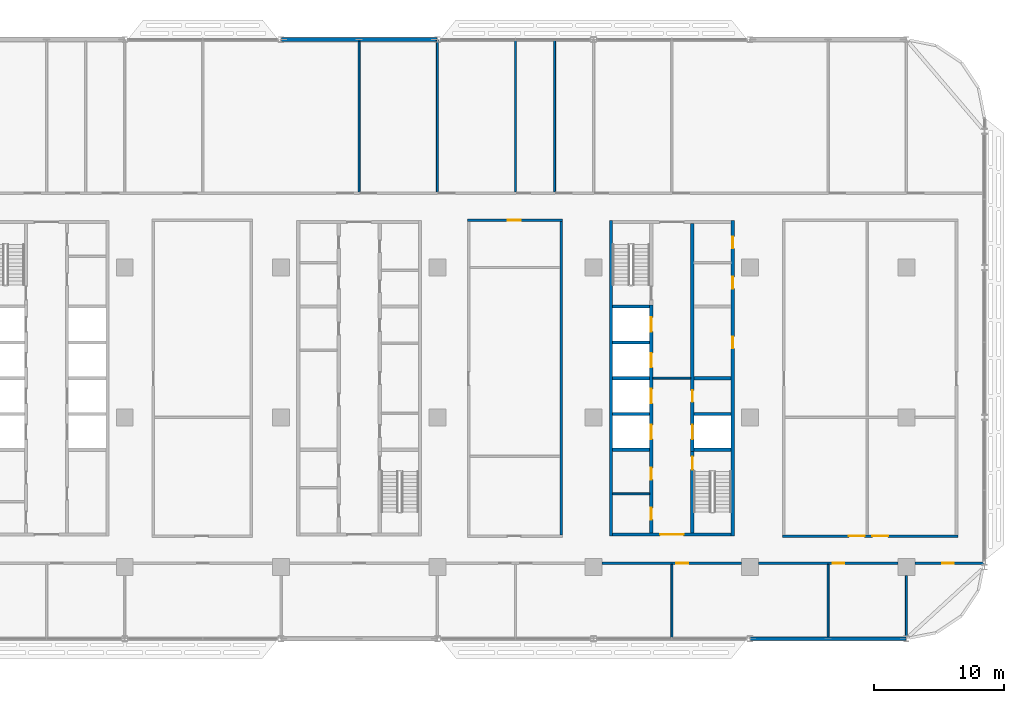
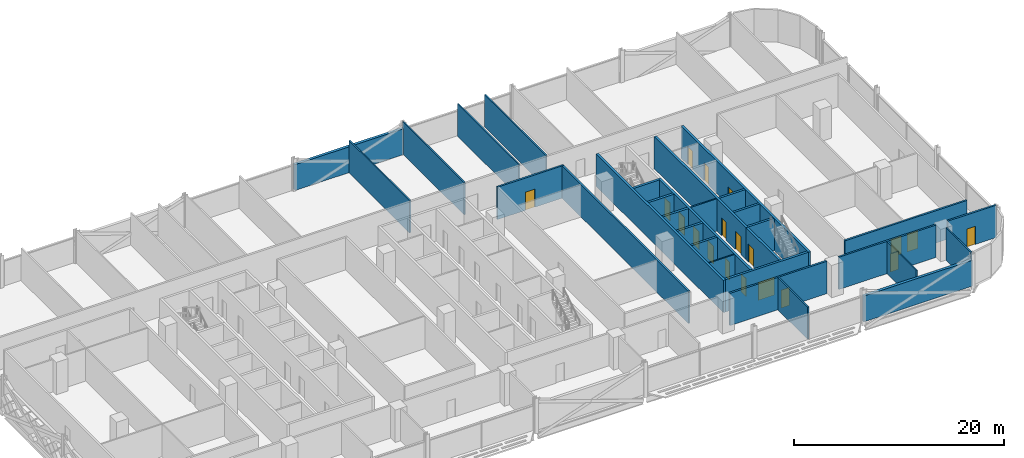
# One storey, part 17 of 28: 31 walls, 19 doors, 19 openings.
"""IFC4 building model written with IfcOpenShell, lengths in metres."""

from ifc_helpers import new_model, si_unit, direction, frame, frame_2d, origin, place, context, subcontext, project, spatial, rectangle, extrude, material, layer, layer_set, type_object, element, fill, save


model = new_model("IFC4")

# Units and contexts
model_context = context("Model", 3, precision=1e-05, world=origin(), true_north=direction((0.0, 1.0)))
body_context = subcontext(model_context, "Body", "Model", "MODEL_VIEW")
ifc_project = project(units=[si_unit("LENGTHUNIT", "METRE"), si_unit("AREAUNIT", "SQUARE_METRE"), si_unit("VOLUMEUNIT", "CUBIC_METRE"), si_unit("PLANEANGLEUNIT", "RADIAN"), si_unit("MASSUNIT", "GRAM", prefix="KILO")], contexts=[model_context])

# Site, building, storey
site_placement = place(None, origin())
site = spatial("IfcSite", under=ifc_project, at=site_placement, CompositionType="ELEMENT")
building_placement = place(site_placement, origin())
building = spatial("IfcBuilding", under=site, at=building_placement, Name="Mahtab Terrace Research Tower", CompositionType="ELEMENT")
storey_placement = place(building_placement, frame((0.0, 0.0, 134.300048828125)))
storey = spatial("IfcBuildingStorey", under=building, at=storey_placement, Name="L31", CompositionType="ELEMENT", Elevation=134.300048828125)

# Walls
ifc_material_1 = material(Name="Gypsum board partition")
ifc_layer_1 = layer(ifc_material_1, 0.14990234375)
ifc_layer_set_1 = layer_set([ifc_layer_1], Name="Core partition 150")
wall_type_1 = type_object("IfcWallType", Name="Core partition 150", PredefinedType="PARTITIONING", material=ifc_layer_set_1)
wall_1_placement = place(storey_placement, frame((22.550048828125, 3.0, 0.0), z_axis=(0.0, 0.0, 1.0), x_axis=(1.0, 0.0, 0.0)))
element("IfcWall", 1, at=wall_1_placement, inside=storey, type_object=wall_type_1, Name="Core wall C ffl", PredefinedType="PARTITIONING", context=body_context, shape_type="SweptSolid", body=[
    extrude(rectangle(XDim=2.89990234375, YDim=0.14990234375, at=frame_2d((1.449951171875, 0.0))), origin(), (0.0, 0.0, 1.0), 3.760009765625),
])
wall_2_placement = place(storey_placement, frame((19.449951171875, -5.875, 0.0), z_axis=(0.0, 0.0, 1.0), x_axis=(1.0, 0.0, 0.0)))
element("IfcWall", 2, at=wall_2_placement, inside=storey, type_object=wall_type_1, Name="Core wall C pWS-888", PredefinedType="PARTITIONING", context=body_context, shape_type="SweptSolid", body=[
    extrude(rectangle(XDim=2.85009765625, YDim=0.14990234375, at=frame_2d((1.425048828125, 0.0))), origin(), (0.0, 0.0, 1.0), 3.760009765625),
])
ifc_material_2 = material(Name="Concrete C70/85", Category="concrete")
ifc_layer_2 = layer(ifc_material_2, 0.25)
ifc_layer_set_2 = layer_set([ifc_layer_2], Name="Core wall 250")
wall_type_2 = type_object("IfcWallType", Name="Core wall 250", PredefinedType="SOLIDWALL", material=ifc_layer_set_2)
wall_3_placement = place(storey_placement, frame((19.324951171875, 15.125, 0.0), z_axis=(0.0, 0.0, 1.0), x_axis=(0.0, -1.0, 0.0)))
element("IfcWall", 3, at=wall_3_placement, inside=storey, type_object=wall_type_2, Name="Core wall C outerW", PredefinedType="SOLIDWALL", context=body_context, shape_type="SweptSolid", body=[
    extrude(rectangle(XDim=24.25, YDim=0.25, at=frame_2d((12.125, 0.0))), origin(), (0.0, 0.0, 1.0), 3.760009765625),
])

# Wall, openings, doors
wall_4_placement = place(storey_placement, frame((28.675048828125, -9.125, 0.0), z_axis=(0.0, 0.0, 1.0), x_axis=(0.0, 1.0, 0.0)))
wall_4 = element("IfcWall", 4, at=wall_4_placement, inside=storey, type_object=wall_type_2, Name="Core wall C outerE", PredefinedType="SOLIDWALL", context=body_context, shape_type="SweptSolid", body=[
    extrude(rectangle(XDim=24.25, YDim=0.25, at=frame_2d((12.125, 0.0))), origin(), (0.0, 0.0, 1.0), 3.760009765625),
])
opening_1_placement = place(wall_4_placement, frame((14.425048828125, 0.0, 0.0)))
opening_1 = element("IfcOpeningElement", 5, at=opening_1_placement, cuts=wall_4, Name="Opening C-R2", PredefinedType="OPENING", context=body_context, shape_type="SweptSolid", body=[
    extrude(rectangle(XDim=0.89990234375, YDim=2.10009765625, at=frame_2d((0.449951171875, 1.050048828125))), frame((0.0, 0.135009765625, 0.0), z_axis=(0.0, -1.0, 0.0), x_axis=(1.0, 0.0, 0.0)), (0.0, 0.0, 1.0), 0.27001953125),
])
opening_2_placement = place(wall_4_placement, frame((19.012451171875, 0.0, 0.0)))
opening_2 = element("IfcOpeningElement", 6, at=opening_2_placement, cuts=wall_4, Name="Opening C-R5", PredefinedType="OPENING", context=body_context, shape_type="SweptSolid", body=[
    extrude(rectangle(XDim=0.89990234375, YDim=2.10009765625, at=frame_2d((0.449951171875, 1.050048828125))), frame((0.0, 0.135009765625, 0.0), z_axis=(0.0, -1.0, 0.0), x_axis=(1.0, 0.0, 0.0)), (0.0, 0.0, 1.0), 0.27001953125),
])
opening_3_placement = place(wall_4_placement, frame((22.08740234375, 0.0, 0.0)))
opening_3 = element("IfcOpeningElement", 7, at=opening_3_placement, cuts=wall_4, Name="Opening C-R6", PredefinedType="OPENING", context=body_context, shape_type="SweptSolid", body=[
    extrude(rectangle(XDim=0.89990234375, YDim=2.10009765625, at=frame_2d((0.449951171875, 1.050048828125))), frame((0.0, 0.135009765625, 0.0), z_axis=(0.0, -1.0, 0.0), x_axis=(1.0, 0.0, 0.0)), (0.0, 0.0, 1.0), 0.27001953125),
])
ifc_material_3 = material(Name="Steel fire door", Category="steel")
door_type_1 = type_object("IfcDoorType", Name="Room door 900x2100 1 HR", OperationType="NOTDEFINED", PredefinedType="DOOR", material=ifc_material_3)
door_1_placement = place(opening_1_placement, origin())
door_1 = element("IfcDoor", 8, at=door_1_placement, inside=storey, type_object=door_type_1, Name="Plant room door", OperationType="SINGLE_SWING_RIGHT", OverallHeight=2.10009765625, OverallWidth=0.89990234375, PredefinedType="DOOR", context=body_context, shape_type="SweptSolid", body=[
    extrude(rectangle(XDim=0.89990234375, YDim=2.10009765625, at=frame_2d((0.449951171875, 1.050048828125))), frame((0.0, 0.02490234375, 0.0), z_axis=(0.0, -1.0, 0.0), x_axis=(1.0, 0.0, 0.0)), (0.0, 0.0, 1.0), 0.050048828125),
])
fill(opening_1, door_1)
door_2_placement = place(opening_2_placement, origin())
door_2 = element("IfcDoor", 9, at=door_2_placement, inside=storey, type_object=door_type_1, Name="Housekeeping store door", OperationType="SINGLE_SWING_LEFT", OverallHeight=2.10009765625, OverallWidth=0.89990234375, PredefinedType="DOOR", context=body_context, shape_type="SweptSolid", body=[
    extrude(rectangle(XDim=0.89990234375, YDim=2.10009765625, at=frame_2d((0.449951171875, 1.050048828125))), frame((0.0, 0.02490234375, 0.0), z_axis=(0.0, -1.0, 0.0), x_axis=(1.0, 0.0, 0.0)), (0.0, 0.0, 1.0), 0.050048828125),
])
fill(opening_2, door_2)
door_3_placement = place(opening_3_placement, origin())
door_3 = element("IfcDoor", 10, at=door_3_placement, inside=storey, type_object=door_type_1, Name="Electrical riser room door", OperationType="SINGLE_SWING_RIGHT", OverallHeight=2.10009765625, OverallWidth=0.89990234375, PredefinedType="DOOR", context=body_context, shape_type="SweptSolid", body=[
    extrude(rectangle(XDim=0.89990234375, YDim=2.10009765625, at=frame_2d((0.449951171875, 1.050048828125))), frame((0.0, 0.02490234375, 0.0), z_axis=(0.0, -1.0, 0.0), x_axis=(1.0, 0.0, 0.0)), (0.0, 0.0, 1.0), 0.050048828125),
])
fill(opening_3, door_3)

# Wall, opening, door
wall_5_placement = place(storey_placement, frame((28.550048828125, -9.0, 0.0), z_axis=(0.0, 0.0, 1.0), x_axis=(-1.0, 0.0, 0.0)))
wall_5 = element("IfcWall", 11, at=wall_5_placement, inside=storey, type_object=wall_type_2, Name="Core wall C endS", PredefinedType="SOLIDWALL", context=body_context, shape_type="SweptSolid", body=[
    extrude(rectangle(XDim=9.10009765625, YDim=0.25, at=frame_2d((4.550048828125, 0.0))), origin(), (0.0, 0.0, 1.0), 3.760009765625),
])
opening_4_placement = place(wall_5_placement, frame((3.64990234375, 0.0, 0.0)))
opening_4 = element("IfcOpeningElement", 12, at=opening_4_placement, cuts=wall_5, Name="Opening C-S1", PredefinedType="OPENING", context=body_context, shape_type="SweptSolid", body=[
    extrude(rectangle(XDim=1.800048828125, YDim=2.10009765625, at=frame_2d((0.89990234375, 1.050048828125))), frame((0.0, 0.135009765625, 0.0), z_axis=(0.0, -1.0, 0.0), x_axis=(1.0, 0.0, 0.0)), (0.0, 0.0, 1.0), 0.27001953125),
])
door_type_2 = type_object("IfcDoorType", Name="Lobby double door 1800x2100 1 HR", OperationType="DOUBLE_DOOR_SINGLE_SWING", PredefinedType="DOOR", material=ifc_material_3)
door_4_placement = place(opening_4_placement, origin())
door_4 = element("IfcDoor", 13, at=door_4_placement, inside=storey, type_object=door_type_2, Name="Core entrance door C S", OperationType="DOUBLE_DOOR_SINGLE_SWING", OverallHeight=2.10009765625, OverallWidth=1.800048828125, PredefinedType="DOOR", context=body_context, shape_type="SweptSolid", body=[
    extrude(rectangle(XDim=1.800048828125, YDim=2.10009765625, at=frame_2d((0.89990234375, 1.050048828125))), frame((0.0, 0.02490234375, 0.0), z_axis=(0.0, -1.0, 0.0), x_axis=(1.0, 0.0, 0.0)), (0.0, 0.0, 1.0), 0.050048828125),
])
fill(opening_4, door_4)

# Wall, openings, doors
wall_6_placement = place(storey_placement, frame((22.425048828125, -8.875, 0.0), z_axis=(0.0, 0.0, 1.0), x_axis=(0.0, 1.0, 0.0)))
wall_6 = element("IfcWall", 14, at=wall_6_placement, inside=storey, type_object=wall_type_2, Name="Core wall C innerWSL", PredefinedType="SOLIDWALL", context=body_context, shape_type="SweptSolid", body=[
    extrude(rectangle(XDim=17.5, YDim=0.25, at=frame_2d((8.75, 0.0))), origin(), (0.0, 0.0, 1.0), 3.760009765625),
])
opening_5_placement = place(wall_6_placement, frame((7.199951171875, 0.0, 0.0)))
opening_5 = element("IfcOpeningElement", 15, at=opening_5_placement, cuts=wall_6, Name="Opening LD17-L31", PredefinedType="OPENING", context=body_context, shape_type="SweptSolid", body=[
    extrude(rectangle(XDim=1.10009765625, YDim=2.10009765625, at=frame_2d((0.550048828125, 1.050048828125))), frame((0.0, 0.135009765625, 0.0), z_axis=(0.0, -1.0, 0.0), x_axis=(1.0, 0.0, 0.0)), (0.0, 0.0, 1.0), 0.27001953125),
])
opening_6_placement = place(wall_6_placement, frame((9.949951171875, 0.0, 0.0)))
opening_6 = element("IfcOpeningElement", 16, at=opening_6_placement, cuts=wall_6, Name="Opening LD18-L31", PredefinedType="OPENING", context=body_context, shape_type="SweptSolid", body=[
    extrude(rectangle(XDim=1.10009765625, YDim=2.10009765625, at=frame_2d((0.550048828125, 1.050048828125))), frame((0.0, 0.135009765625, 0.0), z_axis=(0.0, -1.0, 0.0), x_axis=(1.0, 0.0, 0.0)), (0.0, 0.0, 1.0), 0.27001953125),
])
opening_7_placement = place(wall_6_placement, frame((12.699951171875, 0.0, 0.0)))
opening_7 = element("IfcOpeningElement", 17, at=opening_7_placement, cuts=wall_6, Name="Opening LD19-L31", PredefinedType="OPENING", context=body_context, shape_type="SweptSolid", body=[
    extrude(rectangle(XDim=1.10009765625, YDim=2.10009765625, at=frame_2d((0.550048828125, 1.050048828125))), frame((0.0, 0.135009765625, 0.0), z_axis=(0.0, -1.0, 0.0), x_axis=(1.0, 0.0, 0.0)), (0.0, 0.0, 1.0), 0.27001953125),
])
opening_8_placement = place(wall_6_placement, frame((15.449951171875, 0.0, 0.0)))
opening_8 = element("IfcOpeningElement", 18, at=opening_8_placement, cuts=wall_6, Name="Opening LD20-L31", PredefinedType="OPENING", context=body_context, shape_type="SweptSolid", body=[
    extrude(rectangle(XDim=1.10009765625, YDim=2.10009765625, at=frame_2d((0.550048828125, 1.050048828125))), frame((0.0, 0.135009765625, 0.0), z_axis=(0.0, -1.0, 0.0), x_axis=(1.0, 0.0, 0.0)), (0.0, 0.0, 1.0), 0.27001953125),
])
opening_9_placement = place(wall_6_placement, frame((1.012451171875, 0.0, 0.0)))
opening_9 = element("IfcOpeningElement", 19, at=opening_9_placement, cuts=wall_6, Name="Opening C-R3", PredefinedType="OPENING", context=body_context, shape_type="SweptSolid", body=[
    extrude(rectangle(XDim=0.89990234375, YDim=2.10009765625, at=frame_2d((0.449951171875, 1.050048828125))), frame((0.0, 0.135009765625, 0.0), z_axis=(0.0, -1.0, 0.0), x_axis=(1.0, 0.0, 0.0)), (0.0, 0.0, 1.0), 0.27001953125),
])
opening_10_placement = place(wall_6_placement, frame((4.08740234375, 0.0, 0.0)))
opening_10 = element("IfcOpeningElement", 20, at=opening_10_placement, cuts=wall_6, Name="Opening C-R4", PredefinedType="OPENING", context=body_context, shape_type="SweptSolid", body=[
    extrude(rectangle(XDim=0.89990234375, YDim=2.10009765625, at=frame_2d((0.449951171875, 1.050048828125))), frame((0.0, 0.135009765625, 0.0), z_axis=(0.0, -1.0, 0.0), x_axis=(1.0, 0.0, 0.0)), (0.0, 0.0, 1.0), 0.27001953125),
])
ifc_material_4 = material(Name="Stainless steel AISI 304", Category="steel")
door_type_3 = type_object("IfcDoorType", Name="Landing door 1100x2100", OperationType="DOUBLE_DOOR_SLIDING", PredefinedType="DOOR", material=ifc_material_4)
door_5_placement = place(opening_5_placement, origin())
door_5 = element("IfcDoor", 21, at=door_5_placement, inside=storey, type_object=door_type_3, Name="Landing door SV1 L31", OperationType="DOUBLE_DOOR_SLIDING", OverallHeight=2.10009765625, OverallWidth=1.10009765625, PredefinedType="DOOR", context=body_context, shape_type="SweptSolid", body=[
    extrude(rectangle(XDim=1.10009765625, YDim=2.10009765625, at=frame_2d((0.550048828125, 1.050048828125))), frame((0.0, 0.02490234375, 0.0), z_axis=(0.0, -1.0, 0.0), x_axis=(1.0, 0.0, 0.0)), (0.0, 0.0, 1.0), 0.050048828125),
])
fill(opening_5, door_5)
door_6_placement = place(opening_6_placement, origin())
door_6 = element("IfcDoor", 22, at=door_6_placement, inside=storey, type_object=door_type_3, Name="Landing door SV2 L31", OperationType="DOUBLE_DOOR_SLIDING", OverallHeight=2.10009765625, OverallWidth=1.10009765625, PredefinedType="DOOR", context=body_context, shape_type="SweptSolid", body=[
    extrude(rectangle(XDim=1.10009765625, YDim=2.10009765625, at=frame_2d((0.550048828125, 1.050048828125))), frame((0.0, 0.02490234375, 0.0), z_axis=(0.0, -1.0, 0.0), x_axis=(1.0, 0.0, 0.0)), (0.0, 0.0, 1.0), 0.050048828125),
])
fill(opening_6, door_6)
door_7_placement = place(opening_7_placement, origin())
door_7 = element("IfcDoor", 23, at=door_7_placement, inside=storey, type_object=door_type_3, Name="Landing door FF1 L31", OperationType="DOUBLE_DOOR_SLIDING", OverallHeight=2.10009765625, OverallWidth=1.10009765625, PredefinedType="DOOR", context=body_context, shape_type="SweptSolid", body=[
    extrude(rectangle(XDim=1.10009765625, YDim=2.10009765625, at=frame_2d((0.550048828125, 1.050048828125))), frame((0.0, 0.02490234375, 0.0), z_axis=(0.0, -1.0, 0.0), x_axis=(1.0, 0.0, 0.0)), (0.0, 0.0, 1.0), 0.050048828125),
])
fill(opening_7, door_7)
door_8_placement = place(opening_8_placement, origin())
door_8 = element("IfcDoor", 24, at=door_8_placement, inside=storey, type_object=door_type_3, Name="Landing door FF2 L31", OperationType="DOUBLE_DOOR_SLIDING", OverallHeight=2.10009765625, OverallWidth=1.10009765625, PredefinedType="DOOR", context=body_context, shape_type="SweptSolid", body=[
    extrude(rectangle(XDim=1.10009765625, YDim=2.10009765625, at=frame_2d((0.550048828125, 1.050048828125))), frame((0.0, 0.02490234375, 0.0), z_axis=(0.0, -1.0, 0.0), x_axis=(1.0, 0.0, 0.0)), (0.0, 0.0, 1.0), 0.050048828125),
])
fill(opening_8, door_8)
door_9_placement = place(opening_9_placement, origin())
door_9 = element("IfcDoor", 25, at=door_9_placement, inside=storey, type_object=door_type_1, Name="Staff WC door", OperationType="SINGLE_SWING_LEFT", OverallHeight=2.10009765625, OverallWidth=0.89990234375, PredefinedType="DOOR", context=body_context, shape_type="SweptSolid", body=[
    extrude(rectangle(XDim=0.89990234375, YDim=2.10009765625, at=frame_2d((0.449951171875, 1.050048828125))), frame((0.0, 0.02490234375, 0.0), z_axis=(0.0, -1.0, 0.0), x_axis=(1.0, 0.0, 0.0)), (0.0, 0.0, 1.0), 0.050048828125),
])
fill(opening_9, door_9)
door_10_placement = place(opening_10_placement, origin())
door_10 = element("IfcDoor", 26, at=door_10_placement, inside=storey, type_object=door_type_1, Name="Accessible WC door", OperationType="SINGLE_SWING_RIGHT", OverallHeight=2.10009765625, OverallWidth=0.89990234375, PredefinedType="DOOR", context=body_context, shape_type="SweptSolid", body=[
    extrude(rectangle(XDim=0.89990234375, YDim=2.10009765625, at=frame_2d((0.449951171875, 1.050048828125))), frame((0.0, 0.02490234375, 0.0), z_axis=(0.0, -1.0, 0.0), x_axis=(1.0, 0.0, 0.0)), (0.0, 0.0, 1.0), 0.050048828125),
])
fill(opening_10, door_10)

# Wall, opening, door
wall_7_placement = place(storey_placement, frame((25.574951171875, -8.875, 0.0), z_axis=(0.0, 0.0, 1.0), x_axis=(0.0, 1.0, 0.0)))
wall_7 = element("IfcWall", 27, at=wall_7_placement, inside=storey, type_object=wall_type_2, Name="Core wall C innerES", PredefinedType="SOLIDWALL", context=body_context, shape_type="SweptSolid", body=[
    extrude(rectangle(XDim=6.25, YDim=0.25, at=frame_2d((3.125, 0.0))), origin(), (0.0, 0.0, 1.0), 3.760009765625),
])
opening_11_placement = place(wall_7_placement, frame((4.85009765625, 0.0, 0.0)))
opening_11 = element("IfcOpeningElement", 28, at=opening_11_placement, cuts=wall_7, Name="Opening C-ST4", PredefinedType="OPENING", context=body_context, shape_type="SweptSolid", body=[
    extrude(rectangle(XDim=1.0, YDim=2.10009765625, at=frame_2d((0.5, 1.050048828125))), frame((0.0, 0.135009765625, 0.0), z_axis=(0.0, -1.0, 0.0), x_axis=(1.0, 0.0, 0.0)), (0.0, 0.0, 1.0), 0.27001953125),
])
door_type_4 = type_object("IfcDoorType", Name="Stair door 1000x2100 1.5 HR", OperationType="NOTDEFINED", PredefinedType="DOOR", material=ifc_material_3)
door_11_placement = place(opening_11_placement, origin())
door_11 = element("IfcDoor", 29, at=door_11_placement, inside=storey, type_object=door_type_4, Name="Stair door ST4 L31", OperationType="SINGLE_SWING_RIGHT", OverallHeight=2.10009765625, OverallWidth=1.0, PredefinedType="DOOR", context=body_context, shape_type="SweptSolid", body=[
    extrude(rectangle(XDim=1.0, YDim=2.10009765625, at=frame_2d((0.5, 1.050048828125))), frame((0.0, 0.02490234375, 0.0), z_axis=(0.0, -1.0, 0.0), x_axis=(1.0, 0.0, 0.0)), (0.0, 0.0, 1.0), 0.050048828125),
])
fill(opening_11, door_11)

# Wall, openings, doors
wall_8_placement = place(storey_placement, frame((25.574951171875, 14.875, 0.0), z_axis=(0.0, 0.0, 1.0), x_axis=(0.0, -1.0, 0.0)))
wall_8 = element("IfcWall", 30, at=wall_8_placement, inside=storey, type_object=wall_type_2, Name="Core wall C innerELN", PredefinedType="SOLIDWALL", context=body_context, shape_type="SweptSolid", body=[
    extrude(rectangle(XDim=17.5, YDim=0.25, at=frame_2d((8.75, 0.0))), origin(), (0.0, 0.0, 1.0), 3.760009765625),
])
opening_12_placement = place(wall_8_placement, frame((15.449951171875, 0.0, 0.0)))
opening_12 = element("IfcOpeningElement", 31, at=opening_12_placement, cuts=wall_8, Name="Opening LD21-L31", PredefinedType="OPENING", context=body_context, shape_type="SweptSolid", body=[
    extrude(rectangle(XDim=1.10009765625, YDim=2.10009765625, at=frame_2d((0.550048828125, 1.050048828125))), frame((0.0, 0.135009765625, 0.0), z_axis=(0.0, -1.0, 0.0), x_axis=(1.0, 0.0, 0.0)), (0.0, 0.0, 1.0), 0.27001953125),
])
opening_13_placement = place(wall_8_placement, frame((12.800048828125, 0.0, 0.0)))
opening_13 = element("IfcOpeningElement", 32, at=opening_13_placement, cuts=wall_8, Name="Opening C-R1", PredefinedType="OPENING", context=body_context, shape_type="SweptSolid", body=[
    extrude(rectangle(XDim=0.89990234375, YDim=2.10009765625, at=frame_2d((0.449951171875, 1.050048828125))), frame((0.0, 0.135009765625, 0.0), z_axis=(0.0, -1.0, 0.0), x_axis=(1.0, 0.0, 0.0)), (0.0, 0.0, 1.0), 0.27001953125),
])
door_12_placement = place(opening_12_placement, origin())
door_12 = element("IfcDoor", 33, at=door_12_placement, inside=storey, type_object=door_type_3, Name="Landing door SV3 L31", OperationType="DOUBLE_DOOR_SLIDING", OverallHeight=2.10009765625, OverallWidth=1.10009765625, PredefinedType="DOOR", context=body_context, shape_type="SweptSolid", body=[
    extrude(rectangle(XDim=1.10009765625, YDim=2.10009765625, at=frame_2d((0.550048828125, 1.050048828125))), frame((0.0, 0.02490234375, 0.0), z_axis=(0.0, -1.0, 0.0), x_axis=(1.0, 0.0, 0.0)), (0.0, 0.0, 1.0), 0.050048828125),
])
fill(opening_12, door_12)
door_13_placement = place(opening_13_placement, origin())
door_13 = element("IfcDoor", 34, at=door_13_placement, inside=storey, type_object=door_type_1, Name="Plant room door", OperationType="SINGLE_SWING_LEFT", OverallHeight=2.10009765625, OverallWidth=0.89990234375, PredefinedType="DOOR", context=body_context, shape_type="SweptSolid", body=[
    extrude(rectangle(XDim=0.89990234375, YDim=2.10009765625, at=frame_2d((0.449951171875, 1.050048828125))), frame((0.0, 0.02490234375, 0.0), z_axis=(0.0, -1.0, 0.0), x_axis=(1.0, 0.0, 0.0)), (0.0, 0.0, 1.0), 0.050048828125),
])
fill(opening_13, door_13)

# Walls
for number, where, z_axis, x_axis, name in (
    (35, (19.449951171875, -2.5, 0.0), (0.0, 0.0, 1.0), (1.0, 0.0, 0.0), "Core wall C divW0"),
    (36, (19.449951171875, 0.25, 0.0), (0.0, 0.0, 1.0), (1.0, 0.0, 0.0), "Core wall C divW1"),
    (37, (19.449951171875, 3.0, 0.0), (0.0, 0.0, 1.0), (1.0, 0.0, 0.0), "Core wall C divW2"),
    (38, (19.449951171875, 5.75, 0.0), (0.0, 0.0, 1.0), (1.0, 0.0, 0.0), "Core wall C divW3"),
    (39, (19.449951171875, 8.5, 0.0), (0.0, 0.0, 1.0), (1.0, 0.0, 0.0), "Core wall C divW4"),
    (40, (25.699951171875, -2.5, 0.0), (0.0, 0.0, 1.0), (1.0, 0.0, 0.0), "Core wall C divE0"),
    (41, (25.699951171875, 0.25, 0.0), (0.0, 0.0, 1.0), (1.0, 0.0, 0.0), "Core wall C divE1"),
    (42, (25.699951171875, 3.0, 0.0), (0.0, 0.0, 1.0), (1.0, 0.0, 0.0), "Core wall C divE2"),
):
    element("IfcWall", number, at=place(storey_placement, frame(where, z_axis=z_axis, x_axis=x_axis)), inside=storey, type_object=wall_type_2, Name=name, PredefinedType="SOLIDWALL", context=body_context, shape_type="SweptSolid", body=[
        extrude(rectangle(XDim=2.85009765625, YDim=0.25, at=frame_2d((1.425048828125, 0.0))), origin(), (0.0, 0.0, 1.0), 3.760009765625),
    ])
ifc_material_5 = material(Name="Black aluminium cladding panel", Category="aluminium")
ifc_layer_3 = layer(ifc_material_5, 0.300048828125)
ifc_layer_set_3 = layer_set([ifc_layer_3], Name="Opaque facade wall 300")
wall_type_3 = type_object("IfcWallType", Name="Opaque facade wall 300", PredefinedType="NOTDEFINED", material=ifc_layer_set_3)
for number, where, z_axis, x_axis, name in (
    (43, (5.982177734375, 29.0, 0.0), (0.0, 0.0, 1.0), (-1.0, 0.0, 0.0), "Opaque facade wall L31 N6"),
    (44, (30.017822265625, -17.0, 0.0), (0.0, 0.0, 1.0), (1.0, 0.0, 0.0), "Opaque facade wall L31 S30"),
):
    element("IfcWall", number, at=place(storey_placement, frame(where, z_axis=z_axis, x_axis=x_axis)), inside=storey, type_object=wall_type_3, Name=name, PredefinedType="NOTDEFINED", context=body_context, shape_type="SweptSolid", body=[
        extrude(rectangle(XDim=11.96435546875, YDim=0.300048828125, at=frame_2d((5.982177734375, 0.0))), origin(), (0.0, 0.0, 1.0), 3.0029296875),
    ])

# Wall, opening, door
ifc_material_6 = material(Name="Gypsum board corridor wall on steel studs", Category="steel")
ifc_layer_4 = layer(ifc_material_6, 0.199951171875)
ifc_layer_set_4 = layer_set([ifc_layer_4], Name="WALL CORRIDOR 200")
wall_type_4 = type_object("IfcWallType", Name="WALL CORRIDOR 200", PredefinedType="PARTITIONING", material=ifc_layer_set_4)
wall_9_placement = place(storey_placement, frame((18.64990234375, -11.199951171875, 0.0), z_axis=(0.0, 0.0, 1.0), x_axis=(1.0, 0.0, 0.0)))
wall_9 = element("IfcWall", 45, at=wall_9_placement, inside=storey, type_object=wall_type_4, Name="L31-W007", PredefinedType="PARTITIONING", context=body_context, shape_type="SweptSolid", body=[
    extrude(rectangle(XDim=10.7001953125, YDim=0.199951171875, at=frame_2d((5.35009765625, 0.0))), origin(), (0.0, 0.0, 1.0), 3.760009765625),
])
opening_14_placement = place(wall_9_placement, frame((5.699951171875, 0.0, 0.0)))
opening_14 = element("IfcOpeningElement", 46, at=opening_14_placement, cuts=wall_9, Name="Opening L31-108", PredefinedType="OPENING", context=body_context, shape_type="SweptSolid", body=[
    extrude(rectangle(XDim=0.89990234375, YDim=2.10009765625, at=frame_2d((0.449951171875, 1.050048828125))), frame((0.0, 0.10986328125, 0.0), z_axis=(0.0, -1.0, 0.0), x_axis=(1.0, 0.0, 0.0)), (0.0, 0.0, 1.0), 0.219970703125),
])
ifc_material_7 = material(Name="Timber door leaf in steel frame", Category="steel")
door_type_5 = type_object("IfcDoorType", Name="DOOR 0900X2100 FD30S", OperationType="SINGLE_SWING_LEFT", PredefinedType="DOOR", material=ifc_material_7)
door_14_placement = place(opening_14_placement, origin())
door_14 = element("IfcDoor", 47, at=door_14_placement, inside=storey, type_object=door_type_5, Name="Door L31-108", OperationType="SINGLE_SWING_LEFT", OverallHeight=2.10009765625, OverallWidth=0.89990234375, PredefinedType="DOOR", context=body_context, shape_type="SweptSolid", body=[
    extrude(rectangle(XDim=0.89990234375, YDim=2.10009765625, at=frame_2d((0.449951171875, 1.050048828125))), frame((0.0, 0.02490234375, 0.0), z_axis=(0.0, -1.0, 0.0), x_axis=(1.0, 0.0, 0.0)), (0.0, 0.0, 1.0), 0.050048828125),
])
fill(opening_14, door_14)

wall_10_placement = place(storey_placement, frame((30.64990234375, -11.199951171875, 0.0), z_axis=(0.0, 0.0, 1.0), x_axis=(1.0, 0.0, 0.0)))
wall_10 = element("IfcWall", 48, at=wall_10_placement, inside=storey, type_object=wall_type_4, Name="L31-W008", PredefinedType="PARTITIONING", context=body_context, shape_type="SweptSolid", body=[
    extrude(rectangle(XDim=10.7001953125, YDim=0.199951171875, at=frame_2d((5.35009765625, 0.0))), origin(), (0.0, 0.0, 1.0), 3.760009765625),
])
opening_15_placement = place(wall_10_placement, frame((5.699951171875, 0.0, 0.0)))
opening_15 = element("IfcOpeningElement", 49, at=opening_15_placement, cuts=wall_10, Name="Opening L31-109", PredefinedType="OPENING", context=body_context, shape_type="SweptSolid", body=[
    extrude(rectangle(XDim=0.89990234375, YDim=2.10009765625, at=frame_2d((0.449951171875, 1.050048828125))), frame((0.0, 0.10986328125, 0.0), z_axis=(0.0, -1.0, 0.0), x_axis=(1.0, 0.0, 0.0)), (0.0, 0.0, 1.0), 0.219970703125),
])
door_15_placement = place(opening_15_placement, origin())
door_15 = element("IfcDoor", 50, at=door_15_placement, inside=storey, type_object=door_type_5, Name="Door L31-109", OperationType="SINGLE_SWING_LEFT", OverallHeight=2.10009765625, OverallWidth=0.89990234375, PredefinedType="DOOR", context=body_context, shape_type="SweptSolid", body=[
    extrude(rectangle(XDim=0.89990234375, YDim=2.10009765625, at=frame_2d((0.449951171875, 1.050048828125))), frame((0.0, 0.02490234375, 0.0), z_axis=(0.0, -1.0, 0.0), x_axis=(1.0, 0.0, 0.0)), (0.0, 0.0, 1.0), 0.050048828125),
])
fill(opening_15, door_15)

wall_11_placement = place(storey_placement, frame((42.64990234375, -11.199951171875, 0.0), z_axis=(0.0, 0.0, 1.0), x_axis=(1.0, 0.0, 0.0)))
wall_11 = element("IfcWall", 51, at=wall_11_placement, inside=storey, type_object=wall_type_4, Name="L31-W009", PredefinedType="PARTITIONING", context=body_context, shape_type="SweptSolid", body=[
    extrude(rectangle(XDim=5.3251953125, YDim=0.199951171875, at=frame_2d((2.66259765625, 0.0))), origin(), (0.0, 0.0, 1.0), 3.760009765625),
])
opening_16_placement = place(wall_11_placement, frame((2.10009765625, 0.0, 0.0)))
opening_16 = element("IfcOpeningElement", 52, at=opening_16_placement, cuts=wall_11, Name="Opening L31-110", PredefinedType="OPENING", context=body_context, shape_type="SweptSolid", body=[
    extrude(rectangle(XDim=0.89990234375, YDim=2.10009765625, at=frame_2d((0.449951171875, 1.050048828125))), frame((0.0, 0.10986328125, 0.0), z_axis=(0.0, -1.0, 0.0), x_axis=(1.0, 0.0, 0.0)), (0.0, 0.0, 1.0), 0.219970703125),
])
door_16_placement = place(opening_16_placement, origin())
door_16 = element("IfcDoor", 53, at=door_16_placement, inside=storey, type_object=door_type_5, Name="Door L31-110", OperationType="SINGLE_SWING_RIGHT", OverallHeight=2.10009765625, OverallWidth=0.89990234375, PredefinedType="DOOR", context=body_context, shape_type="SweptSolid", body=[
    extrude(rectangle(XDim=0.89990234375, YDim=2.10009765625, at=frame_2d((0.449951171875, 1.050048828125))), frame((0.0, 0.02490234375, 0.0), z_axis=(0.0, -1.0, 0.0), x_axis=(1.0, 0.0, 0.0)), (0.0, 0.0, 1.0), 0.050048828125),
])
fill(opening_16, door_16)

# Wall, openings, doors
wall_12_placement = place(storey_placement, frame((32.5, -9.125, 0.0), z_axis=(0.0, 0.0, 1.0), x_axis=(1.0, 0.0, 0.0)))
wall_12 = element("IfcWall", 54, at=wall_12_placement, inside=storey, type_object=wall_type_4, Name="L31-W013", PredefinedType="PARTITIONING", context=body_context, shape_type="SweptSolid", body=[
    extrude(rectangle(XDim=13.449951171875, YDim=0.199951171875, at=frame_2d((6.72509765625, 0.0))), origin(), (0.0, 0.0, 1.0), 3.760009765625),
])
opening_17_placement = place(wall_12_placement, frame((5.10009765625, 0.0, 0.0)))
opening_17 = element("IfcOpeningElement", 55, at=opening_17_placement, cuts=wall_12, Name="Opening L31-115", PredefinedType="OPENING", context=body_context, shape_type="SweptSolid", body=[
    extrude(rectangle(XDim=1.199951171875, YDim=2.10009765625, at=frame_2d((0.60009765625, 1.050048828125))), frame((0.0, 0.10986328125, 0.0), z_axis=(0.0, -1.0, 0.0), x_axis=(1.0, 0.0, 0.0)), (0.0, 0.0, 1.0), 0.219970703125),
])
opening_18_placement = place(wall_12_placement, frame((6.89990234375, 0.0, 0.0)))
opening_18 = element("IfcOpeningElement", 56, at=opening_18_placement, cuts=wall_12, Name="Opening L31-116", PredefinedType="OPENING", context=body_context, shape_type="SweptSolid", body=[
    extrude(rectangle(XDim=1.199951171875, YDim=2.10009765625, at=frame_2d((0.60009765625, 1.050048828125))), frame((0.0, 0.10986328125, 0.0), z_axis=(0.0, -1.0, 0.0), x_axis=(1.0, 0.0, 0.0)), (0.0, 0.0, 1.0), 0.219970703125),
])
door_type_6 = type_object("IfcDoorType", Name="DOOR 1200X2100 FD30S", OperationType="SINGLE_SWING_LEFT", PredefinedType="DOOR", material=ifc_material_7)
door_17_placement = place(opening_17_placement, origin())
door_17 = element("IfcDoor", 57, at=door_17_placement, inside=storey, type_object=door_type_6, Name="Door L31-115", OperationType="SINGLE_SWING_LEFT", OverallHeight=2.10009765625, OverallWidth=1.199951171875, PredefinedType="DOOR", context=body_context, shape_type="SweptSolid", body=[
    extrude(rectangle(XDim=1.199951171875, YDim=2.10009765625, at=frame_2d((0.60009765625, 1.050048828125))), frame((0.0, 0.02490234375, 0.0), z_axis=(0.0, -1.0, 0.0), x_axis=(1.0, 0.0, 0.0)), (0.0, 0.0, 1.0), 0.050048828125),
])
fill(opening_17, door_17)
door_18_placement = place(opening_18_placement, origin())
door_18 = element("IfcDoor", 58, at=door_18_placement, inside=storey, type_object=door_type_6, Name="Door L31-116", OperationType="SINGLE_SWING_RIGHT", OverallHeight=2.10009765625, OverallWidth=1.199951171875, PredefinedType="DOOR", context=body_context, shape_type="SweptSolid", body=[
    extrude(rectangle(XDim=1.199951171875, YDim=2.10009765625, at=frame_2d((0.60009765625, 1.050048828125))), frame((0.0, 0.02490234375, 0.0), z_axis=(0.0, -1.0, 0.0), x_axis=(1.0, 0.0, 0.0)), (0.0, 0.0, 1.0), 0.050048828125),
])
fill(opening_18, door_18)

# Wall, opening, door
wall_13_placement = place(storey_placement, frame((8.300048828125, 15.125, 0.0), z_axis=(0.0, 0.0, 1.0), x_axis=(1.0, 0.0, 0.0)))
wall_13 = element("IfcWall", 59, at=wall_13_placement, inside=storey, type_object=wall_type_4, Name="L31-W024", PredefinedType="PARTITIONING", context=body_context, shape_type="SweptSolid", body=[
    extrude(rectangle(XDim=7.300048828125, YDim=0.199951171875, at=frame_2d((3.64990234375, 0.0))), origin(), (0.0, 0.0, 1.0), 3.760009765625),
])
opening_19_placement = place(wall_13_placement, frame((3.10009765625, 0.0, 0.0)))
opening_19 = element("IfcOpeningElement", 60, at=opening_19_placement, cuts=wall_13, Name="Opening L31-125", PredefinedType="OPENING", context=body_context, shape_type="SweptSolid", body=[
    extrude(rectangle(XDim=1.0, YDim=2.10009765625, at=frame_2d((0.5, 1.050048828125))), frame((0.0, 0.10986328125, 0.0), z_axis=(0.0, -1.0, 0.0), x_axis=(1.0, 0.0, 0.0)), (0.0, 0.0, 1.0), 0.219970703125),
])
door_type_7 = type_object("IfcDoorType", Name="DOOR 1000X2100 FD30S", OperationType="SINGLE_SWING_LEFT", PredefinedType="DOOR", material=ifc_material_7)
door_19_placement = place(opening_19_placement, origin())
door_19 = element("IfcDoor", 61, at=door_19_placement, inside=storey, type_object=door_type_7, Name="Door L31-125", OperationType="SINGLE_SWING_RIGHT", OverallHeight=2.10009765625, OverallWidth=1.0, PredefinedType="DOOR", context=body_context, shape_type="SweptSolid", body=[
    extrude(rectangle(XDim=1.0, YDim=2.10009765625, at=frame_2d((0.5, 1.050048828125))), frame((0.0, 0.02490234375, 0.0), z_axis=(0.0, -1.0, 0.0), x_axis=(1.0, 0.0, 0.0)), (0.0, 0.0, 1.0), 0.050048828125),
])
fill(opening_19, door_19)

# Walls
wall_14_placement = place(storey_placement, frame((15.5, -9.02490234375, 0.0), z_axis=(0.0, 0.0, 1.0), x_axis=(0.0, 1.0, 0.0)))
element("IfcWall", 62, at=wall_14_placement, inside=storey, type_object=wall_type_4, Name="L31-W049", PredefinedType="PARTITIONING", context=body_context, shape_type="SweptSolid", body=[
    extrude(rectangle(XDim=24.0498046875, YDim=0.199951171875, at=frame_2d((12.02490234375, 0.0))), origin(), (0.0, 0.0, 1.0), 3.760009765625),
])
ifc_material_8 = material(Name="Gypsum board partition on steel studs", Category="steel")
ifc_layer_5 = layer(ifc_material_8, 0.14990234375)
ifc_layer_set_5 = layer_set([ifc_layer_5], Name="WALL PARTITION 150")
wall_type_5 = type_object("IfcWallType", Name="WALL PARTITION 150", PredefinedType="PARTITIONING", material=ifc_layer_set_5)
wall_15_placement = place(storey_placement, frame((0.0, 17.300048828125, 0.0), z_axis=(0.0, 0.0, 1.0), x_axis=(0.0, 1.0, 0.0)))
element("IfcWall", 63, at=wall_15_placement, inside=storey, type_object=wall_type_5, Name="L31-W042", PredefinedType="PARTITIONING", context=body_context, shape_type="SweptSolid", body=[
    extrude(rectangle(XDim=11.550048828125, YDim=0.14990234375, at=frame_2d((5.77490234375, 0.0))), origin(), (0.0, 0.0, 1.0), 3.760009765625),
])
for number, where, z_axis, x_axis, name in (
    (64, (6.0, 17.300048828125, 0.0), (0.0, 0.0, 1.0), (0.0, 1.0, 0.0), "L31-W044"),
    (65, (12.0, 17.300048828125, 0.0), (0.0, 0.0, 1.0), (0.0, 1.0, 0.0), "L31-W047"),
    (66, (15.0, 17.300048828125, 0.0), (0.0, 0.0, 1.0), (0.0, 1.0, 0.0), "L31-W048"),
):
    element("IfcWall", number, at=place(storey_placement, frame(where, z_axis=z_axis, x_axis=x_axis)), inside=storey, type_object=wall_type_5, Name=name, PredefinedType="PARTITIONING", context=body_context, shape_type="SweptSolid", body=[
        extrude(rectangle(XDim=11.675048828125, YDim=0.14990234375, at=frame_2d((5.83740234375, 0.0))), origin(), (0.0, 0.0, 1.0), 3.760009765625),
    ])
wall_16_placement = place(storey_placement, frame((24.0, -16.97509765625, 0.0), z_axis=(0.0, 0.0, 1.0), x_axis=(0.0, 1.0, 0.0)))
element("IfcWall", 67, at=wall_16_placement, inside=storey, type_object=wall_type_5, Name="L31-W051", PredefinedType="PARTITIONING", context=body_context, shape_type="SweptSolid", body=[
    extrude(rectangle(XDim=5.675048828125, YDim=0.14990234375, at=frame_2d((2.83740234375, 0.0))), origin(), (0.0, 0.0, 1.0), 3.760009765625),
])
wall_17_placement = place(storey_placement, frame((36.0, -16.85009765625, 0.0), z_axis=(0.0, 0.0, 1.0), x_axis=(0.0, 1.0, 0.0)))
element("IfcWall", 68, at=wall_17_placement, inside=storey, type_object=wall_type_5, Name="L31-W054", PredefinedType="PARTITIONING", context=body_context, shape_type="SweptSolid", body=[
    extrude(rectangle(XDim=5.550048828125, YDim=0.14990234375, at=frame_2d((2.77490234375, 0.0))), origin(), (0.0, 0.0, 1.0), 3.760009765625),
])
wall_18_placement = place(storey_placement, frame((42.0, -16.84716796875, 0.0), z_axis=(0.0, 0.0, 1.0), x_axis=(0.0, 1.0, 0.0)))
element("IfcWall", 69, at=wall_18_placement, inside=storey, type_object=wall_type_5, Name="L31-W057", PredefinedType="PARTITIONING", context=body_context, shape_type="SweptSolid", body=[
    extrude(rectangle(XDim=4.697265625, YDim=0.14990234375, at=frame_2d((2.3486328125, 0.0))), origin(), (0.0, 0.0, 1.0), 3.760009765625),
])

save(model, "model.ifc")
